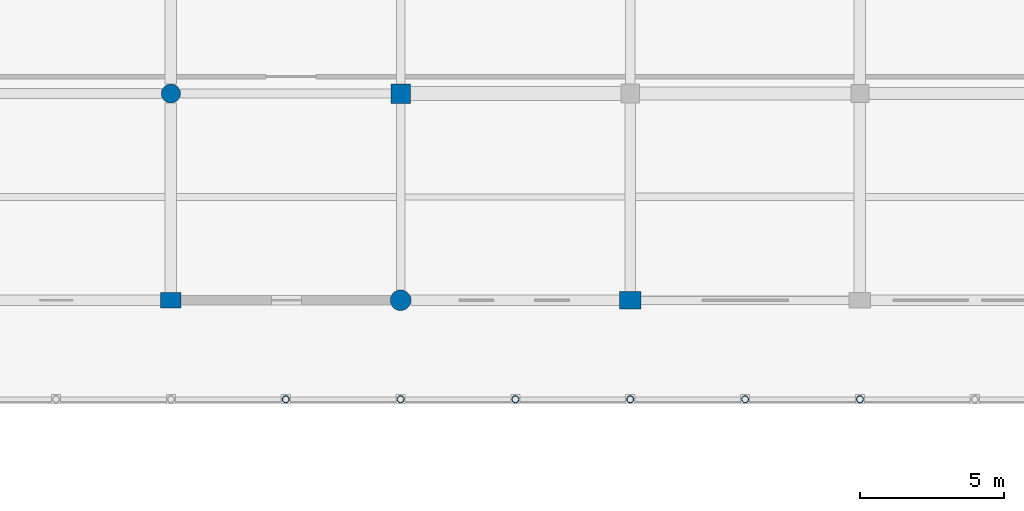
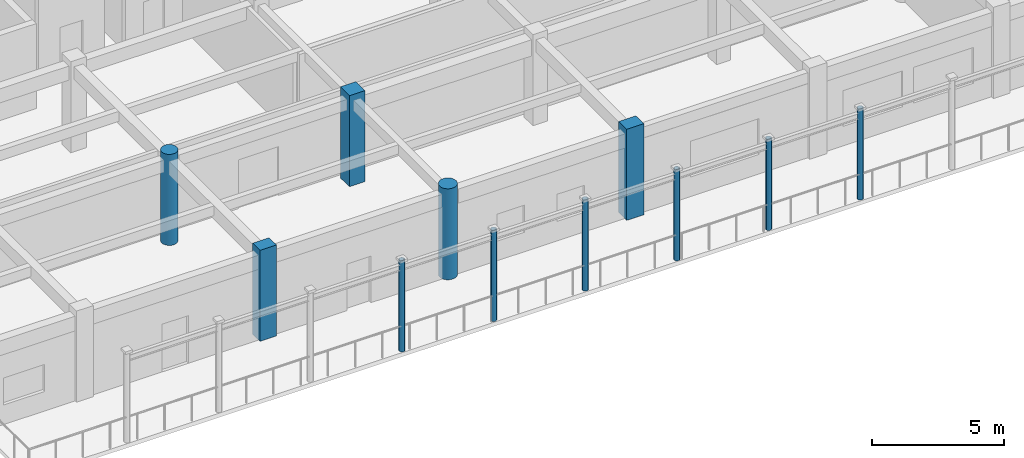
# One storey, part 17 of 195: 11 columns.
"""IFC4 building model written with IfcOpenShell, lengths in metres."""

from ifc_helpers import new_model, si_unit, direction, frame, origin, origin_2d, place, context, subcontext, project, spatial, rectangle, circle, hollow_circle, extrude, material, material_profile, profile_set, type_object, element, save


model = new_model("IFC4")

# Units and contexts
model_context = context("Model", 3, precision=1e-05, world=origin(), true_north=direction((0.0, 1.0)))
body_context = subcontext(model_context, "Body", "Model", "MODEL_VIEW")
ifc_project = project(units=[si_unit("LENGTHUNIT", "METRE"), si_unit("AREAUNIT", "SQUARE_METRE"), si_unit("VOLUMEUNIT", "CUBIC_METRE"), si_unit("PLANEANGLEUNIT", "RADIAN"), si_unit("MASSUNIT", "GRAM", prefix="KILO")], contexts=[model_context])

# Site, building, storey
site_placement = place(None, origin())
site = spatial("IfcSite", under=ifc_project, at=site_placement, CompositionType="ELEMENT")
building_placement = place(site_placement, origin())
building = spatial("IfcBuilding", under=site, at=building_placement, Name="Kharva Crest Polytechnic", CompositionType="ELEMENT")
storey_placement = place(building_placement, frame((0.0, 0.0, 9.0)))
storey = spatial("IfcBuildingStorey", under=building, at=storey_placement, Name="L02", CompositionType="ELEMENT", Elevation=9.0)

# Columns
ifc_material_1 = material(Name="Concrete C40/50", Category="concrete")
ifc_material_profile_1 = material_profile(ifc_material_1, rectangle(XDim=0.719970703125, YDim=0.550048828125, at=origin_2d()), Name="RECT 720 X 550")
ifc_profile_set_1 = profile_set([ifc_material_profile_1], Name="Concrete C40/50")
column_type_1 = type_object("IfcColumnType", Name="COL-EXT-720X550", PredefinedType="COLUMN", material=ifc_profile_set_1)
column_1_placement = place(storey_placement, frame((64.0, 100.39990234375, 0.0), z_axis=(0.0, 0.0, 1.0), x_axis=(1.0, 0.0, 0.0)))
element("IfcColumn", 1, at=column_1_placement, inside=storey, type_object=column_type_1, Name="L02 Column 9/P", PredefinedType="COLUMN", context=body_context, shape_type="SweptSolid", body=[
    extrude(rectangle(XDim=0.719970703125, YDim=0.550048828125, at=origin_2d()), origin(), (0.0, 0.0, 1.0), 4.199951171875),
])
ifc_material_profile_2 = material_profile(ifc_material_1, rectangle(XDim=0.75, YDim=0.60009765625, at=origin_2d()), Name="RECT 750 X 600")
ifc_profile_set_2 = profile_set([ifc_material_profile_2], Name="Concrete C40/50")
column_type_2 = type_object("IfcColumnType", Name="COL-EXT-750X600", PredefinedType="COLUMN", material=ifc_profile_set_2)
column_2_placement = place(storey_placement, frame((80.0, 100.39990234375, 0.0), z_axis=(0.0, 0.0, 1.0), x_axis=(1.0, 0.0, 0.0)))
element("IfcColumn", 2, at=column_2_placement, inside=storey, type_object=column_type_2, Name="L02 Column 11/P", PredefinedType="COLUMN", context=body_context, shape_type="SweptSolid", body=[
    extrude(rectangle(XDim=0.75, YDim=0.60009765625, at=origin_2d()), origin(), (0.0, 0.0, 1.0), 4.199951171875),
])
ifc_material_profile_3 = material_profile(ifc_material_1, circle(Radius=0.360107421875, at=origin_2d()), Name="DIA 720")
ifc_profile_set_3 = profile_set([ifc_material_profile_3], Name="Concrete C40/50")
column_type_3 = type_object("IfcColumnType", Name="COL-EXT-DIA720", PredefinedType="COLUMN", material=ifc_profile_set_3)
column_3_placement = place(storey_placement, frame((72.0, 100.39990234375, 0.0), z_axis=(0.0, 0.0, 1.0), x_axis=(1.0, 0.0, 0.0)))
element("IfcColumn", 3, at=column_3_placement, inside=storey, type_object=column_type_3, Name="L02 Column 10/P", PredefinedType="COLUMN", context=body_context, shape_type="SweptSolid", body=[
    extrude(circle(Radius=0.360107421875, at=origin_2d()), origin(), (0.0, 0.0, 1.0), 4.199951171875),
])
ifc_material_profile_4 = material_profile(ifc_material_1, rectangle(XDim=0.679931640625, YDim=0.679931640625, at=origin_2d()), Name="RECT 680 X 680")
ifc_profile_set_4 = profile_set([ifc_material_profile_4], Name="Concrete C40/50")
column_type_4 = type_object("IfcColumnType", Name="COL-INT-680X680", PredefinedType="COLUMN", material=ifc_profile_set_4)
column_4_placement = place(storey_placement, frame((72.0, 107.60009765625, 0.0), z_axis=(0.0, 0.0, 1.0), x_axis=(1.0, 0.0, 0.0)))
element("IfcColumn", 4, at=column_4_placement, inside=storey, type_object=column_type_4, Name="L02 Column 10/Q", PredefinedType="COLUMN", context=body_context, shape_type="SweptSolid", body=[
    extrude(rectangle(XDim=0.679931640625, YDim=0.679931640625, at=origin_2d()), origin(), (0.0, 0.0, 1.0), 4.199951171875),
])
ifc_material_profile_5 = material_profile(ifc_material_1, circle(Radius=0.330078125, at=origin_2d()), Name="DIA 660")
ifc_profile_set_5 = profile_set([ifc_material_profile_5], Name="Concrete C40/50")
column_type_5 = type_object("IfcColumnType", Name="COL-INT-DIA660", PredefinedType="COLUMN", material=ifc_profile_set_5)
column_5_placement = place(storey_placement, frame((64.0, 107.60009765625, 0.0), z_axis=(0.0, 0.0, 1.0), x_axis=(1.0, 0.0, 0.0)))
element("IfcColumn", 5, at=column_5_placement, inside=storey, type_object=column_type_5, Name="L02 Column 9/Q", PredefinedType="COLUMN", context=body_context, shape_type="SweptSolid", body=[
    extrude(circle(Radius=0.330078125, at=origin_2d()), origin(), (0.0, 0.0, 1.0), 4.199951171875),
])
ifc_material_2 = material(Name="Steel S355", Category="steel")
ifc_material_profile_6 = material_profile(ifc_material_2, hollow_circle(Radius=0.122314453125, WallThickness=0.010009765625, at=origin_2d()), Name="CHS 244.5X10.0")
ifc_profile_set_6 = profile_set([ifc_material_profile_6], Name="Steel S355")
column_type_6 = type_object("IfcColumnType", Name="COL-STL-CHS244", PredefinedType="COLUMN", material=ifc_profile_set_6)
for number, where, z_axis, x_axis, name in (
    (6, (72.0, 96.949951171875, 0.0), (0.0, 0.0, 1.0), (1.0, 0.0, 0.0), "L02 Colonnade Column VN03"),
    (7, (80.0, 96.949951171875, 0.0), (0.0, 0.0, 1.0), (1.0, 0.0, 0.0), "L02 Colonnade Column VN04"),
    (8, (88.0, 96.949951171875, 0.0), (0.0, 0.0, 1.0), (1.0, 0.0, 0.0), "L02 Colonnade Column VN05"),
    (9, (68.0, 96.949951171875, 0.0), (0.0, 0.0, 1.0), (1.0, 0.0, 0.0), "L02 Colonnade Mid Column VNM02"),
    (10, (76.0, 96.949951171875, 0.0), (0.0, 0.0, 1.0), (1.0, 0.0, 0.0), "L02 Colonnade Mid Column VNM03"),
    (11, (84.0, 96.949951171875, 0.0), (0.0, 0.0, 1.0), (1.0, 0.0, 0.0), "L02 Colonnade Mid Column VNM04"),
):
    element("IfcColumn", number, at=place(storey_placement, frame(where, z_axis=z_axis, x_axis=x_axis)), inside=storey, type_object=column_type_6, Name=name, PredefinedType="COLUMN", context=body_context, shape_type="SweptSolid", body=[
        extrude(hollow_circle(Radius=0.122314453125, WallThickness=0.010009765625, at=origin_2d()), origin(), (0.0, 0.0, 1.0), 4.199951171875),
    ])

save(model, "model.ifc")
